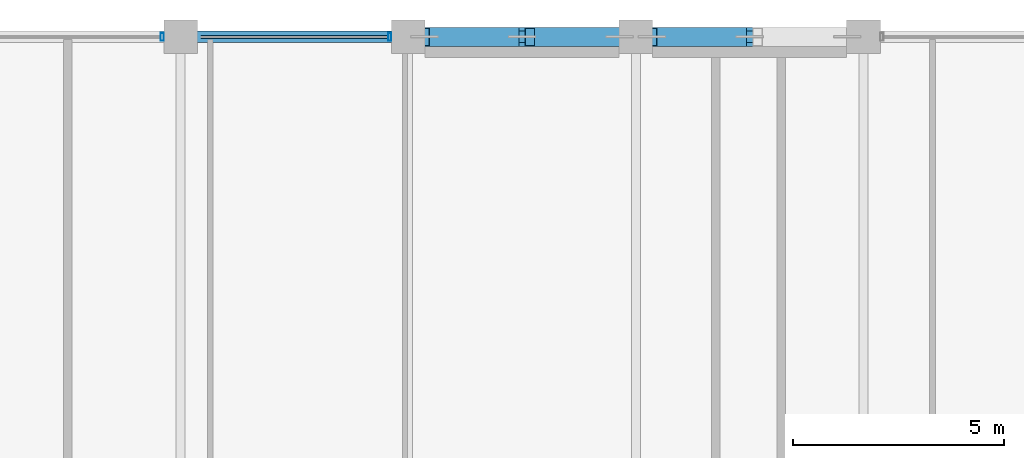
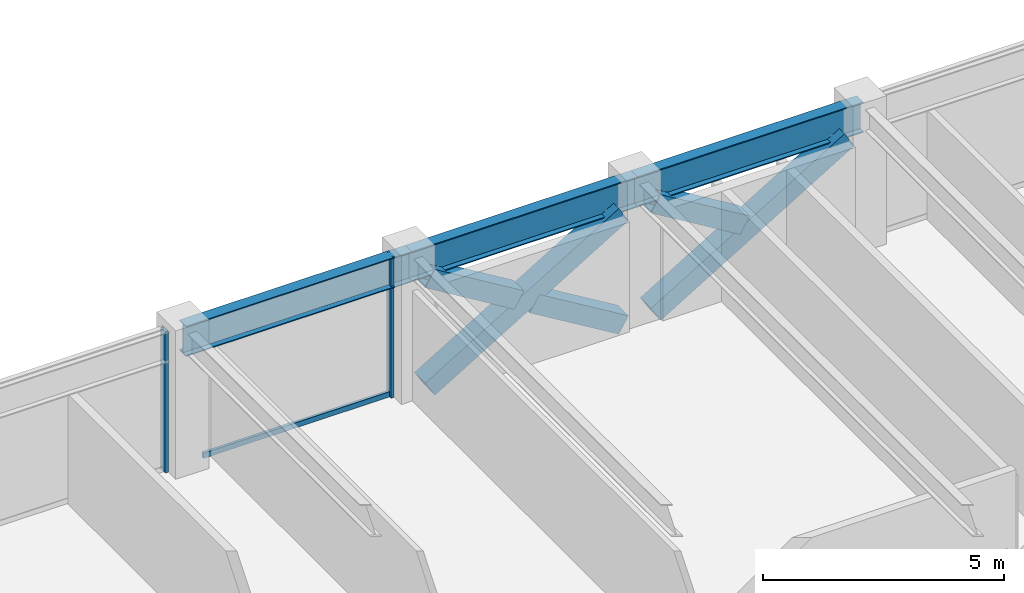
# One storey, part 18 of 30: 8 members, 3 beams, 1 element without a shape of its own.
"""IFC4 building model written with IfcOpenShell, lengths in metres."""

from ifc_helpers import new_model, si_unit, direction, frame, origin, origin_2d, place, context, subcontext, project, spatial, hollow_rectangle, i_section, extrude, material, layer, layer_set, material_profile, profile_set, type_object, element, aggregate, save


model = new_model("IFC4")

# Units and contexts
model_context = context("Model", 3, precision=1e-05, world=origin(), true_north=direction((0.0, 1.0)))
body_context = subcontext(model_context, "Body", "Model", "MODEL_VIEW")
ifc_project = project(units=[si_unit("LENGTHUNIT", "METRE"), si_unit("AREAUNIT", "SQUARE_METRE"), si_unit("VOLUMEUNIT", "CUBIC_METRE"), si_unit("PLANEANGLEUNIT", "RADIAN"), si_unit("MASSUNIT", "GRAM", prefix="KILO")], contexts=[model_context])

# Site, building, storey
site_placement = place(None, origin())
site = spatial("IfcSite", under=ifc_project, at=site_placement, CompositionType="ELEMENT")
building_placement = place(site_placement, origin())
building = spatial("IfcBuilding", under=site, at=building_placement, Name="Surkhivell Harbour Commons", CompositionType="ELEMENT")
storey_placement = place(building_placement, frame((0.0, 0.0, 227.25)))
storey = spatial("IfcBuildingStorey", under=building, at=storey_placement, Name="L59", CompositionType="ELEMENT", Elevation=227.25)

# Beams
ifc_material_1 = material(Name="Steel S355", Category="steel")
ifc_material_profile_1 = material_profile(ifc_material_1, i_section(OverallWidth=0.26806640625, OverallDepth=0.77001953125, WebThickness=0.015625, FlangeThickness=0.025390625, at=origin_2d()), Name="UB762x267x197")
ifc_profile_set_1 = profile_set([ifc_material_profile_1], Name="Steel S355")
beam_type = type_object("IfcBeamType", Name="BM-SPN-762", PredefinedType="SPANDREL", material=ifc_profile_set_1)
beam_placement = place(storey_placement, frame((-10.800048828125, 25.89990234375, 3.18505859375), z_axis=(1.0, 0.0, 0.0), x_axis=(0.0, 1.0, 0.0)))
element("IfcBeam", 1, at=beam_placement, inside=storey, type_object=beam_type, Name="L59 Tube Spandrel (-10.8,25.9)", PredefinedType="SPANDREL", context=body_context, shape_type="SweptSolid", body=[
    extrude(i_section(OverallWidth=0.26806640625, OverallDepth=0.77001953125, WebThickness=0.015625, FlangeThickness=0.025390625, at=origin_2d()), origin(), (0.0, 0.0, 1.0), 5.400146484375),
])
for number, where, z_axis, x_axis, name in (
    (2, (-5.39990234375, 25.89990234375, 3.18505859375), (1.0, 0.0, 0.0), (0.0, 1.0, 0.0), "L59 Tube Spandrel (-5.4,25.9)"),
    (3, (0.0, 25.89990234375, 3.18505859375), (1.0, 0.0, 0.0), (0.0, 1.0, 0.0), "L59 Tube Spandrel (-0.0,25.9)"),
):
    element("IfcBeam", number, at=place(storey_placement, frame(where, z_axis=z_axis, x_axis=x_axis)), inside=storey, type_object=beam_type, Name=name, PredefinedType="SPANDREL", context=body_context, shape_type="SweptSolid", body=[
        extrude(i_section(OverallWidth=0.26806640625, OverallDepth=0.77001953125, WebThickness=0.015625, FlangeThickness=0.025390625, at=origin_2d()), origin(), (0.0, 0.0, 1.0), 5.39990234375),
    ])

# Curtain wall, members
ifc_material_2 = material(Name="Anodised pale-metal aluminium and insulated glazing", Category="aluminium")
ifc_layer = layer(ifc_material_2, 0.18994140625)
ifc_layer_set = layer_set([ifc_layer], Name="Anodised pale-metal aluminium and insulated glazing")
curtain_wall_type = type_object("IfcCurtainWallType", Name="CW-SYS-Z3", PredefinedType="NOTDEFINED", material=ifc_layer_set)
curtain_wall_placement = place(storey_placement, origin())
curtain_wall = element("IfcCurtainWall", 4, at=curtain_wall_placement, inside=storey, type_object=curtain_wall_type, Name="L59 Curtain Wall CW-L59-E07S2", PredefinedType="NOTDEFINED")
ifc_material_3 = material(Name="Anodised pale-metal aluminium alloy 6063-T6", Category="aluminium")
ifc_material_profile_2 = material_profile(ifc_material_3, hollow_rectangle(XDim=0.074951171875, YDim=0.18994140625, WallThickness=0.00390625, at=origin_2d()), Name="ALU-MULL-75x190")
ifc_profile_set_2 = profile_set([ifc_material_profile_2], Name="Anodised pale-metal aluminium alloy 6063-T6")
member_type_1 = type_object("IfcMemberType", Name="CWM-190", PredefinedType="MULLION", material=ifc_profile_set_2)
member_1_placement = place(storey_placement, frame((-5.839599609375, 25.89990234375, 0.0), z_axis=(0.0, 0.0, 1.0), x_axis=(-1.0, 0.0, 0.0)))
member_1 = element("IfcMember", 5, at=member_1_placement, type_object=member_type_1, Name="CW-Z3 mullion 1", PredefinedType="MULLION", context=body_context, shape_type="SweptSolid", body=[
    extrude(hollow_rectangle(XDim=0.074951171875, YDim=0.18994140625, WallThickness=0.00390625, at=origin_2d()), origin(), (0.0, 0.0, 1.0), 3.570068359375),
])
member_2_placement = place(storey_placement, frame((-11.239501953125, 25.89990234375, 0.0), z_axis=(0.0, 0.0, 1.0), x_axis=(-1.0, 0.0, 0.0)))
member_2 = element("IfcMember", 6, at=member_2_placement, type_object=member_type_1, Name="CW-Z3 mullion 2", PredefinedType="MULLION", context=body_context, shape_type="SweptSolid", body=[
    extrude(hollow_rectangle(XDim=0.074951171875, YDim=0.18994140625, WallThickness=0.00390625, at=origin_2d()), origin(), (0.0, 0.0, 1.0), 3.570068359375),
])
ifc_material_4 = material(Name="Champagne anodised aluminium alloy 6063-T6", Category="aluminium")
ifc_material_profile_3 = material_profile(ifc_material_4, hollow_rectangle(XDim=0.070068359375, YDim=0.1298828125, WallThickness=0.00341796875, at=origin_2d()), Name="ALU-TRAN-70x130")
ifc_profile_set_3 = profile_set([ifc_material_profile_3], Name="Champagne anodised aluminium alloy 6063-T6")
member_type_2 = type_object("IfcMemberType", Name="CWT-130", PredefinedType="USERDEFINED", material=ifc_profile_set_3)
member_3_placement = place(storey_placement, frame((-5.876953125, 25.89990234375, 0.06494140625), z_axis=(-1.0, 0.0, 0.0), x_axis=(0.0, -1.0, 0.0)))
member_3 = element("IfcMember", 7, at=member_3_placement, type_object=member_type_2, Name="CW-Z3 transom 1.1", ObjectType="TRANSOM", PredefinedType="USERDEFINED", context=body_context, shape_type="SweptSolid", body=[
    extrude(hollow_rectangle(XDim=0.070068359375, YDim=0.1298828125, WallThickness=0.00341796875, at=origin_2d()), origin(), (0.0, 0.0, 1.0), 4.446044921875),
])
aggregate(curtain_wall, [member_1, member_3, member_2])

# Members
ifc_material_5 = material(Name="Steel S460", Category="steel")
ifc_material_profile_4 = material_profile(ifc_material_5, hollow_rectangle(XDim=0.449951171875, YDim=0.449951171875, WallThickness=0.02197265625, at=origin_2d()), Name="SHS450x450x22")
ifc_profile_set_4 = profile_set([ifc_material_profile_4], Name="Steel S460")
member_type_3 = type_object("IfcMemberType", Name="MEM-BRC-SHS450", PredefinedType="BRACE", material=ifc_profile_set_4)
member_4_placement = place(storey_placement, frame((-5.014892578125, 25.89990234375, 0.008056640625), z_axis=(0.856023742961, 0.0, 0.516936506243), x_axis=(0.0, 1.0, 0.0)))
element("IfcMember", 8, at=member_4_placement, inside=storey, type_object=member_type_3, Name="L59 Perimeter Mega-Brace MB- 01", PredefinedType="BRACE", context=body_context, shape_type="SweptSolid", body=[
    extrude(hollow_rectangle(XDim=0.449951171875, YDim=0.449951171875, WallThickness=0.02197265625, at=origin_2d()), origin(), (0.0, 0.0, 1.0), 5.40869140625),
])
for number, where, z_axis, x_axis, name in (
    (9, (-0.385009765625, 25.89990234375, 0.008056640625), (-0.856061168755, 0.0, 0.516874525731), (0.0, -1.0, 0.0), "L59 Perimeter Mega-Brace MB- 02"),
    (10, (-2.885009765625, 25.89990234375, 1.517578125), (-0.855991532151, 0.0, 0.516989842149), (0.0, -1.0, 0.0), "L59 Perimeter Mega-Brace MB- 03"),
):
    element("IfcMember", number, at=place(storey_placement, frame(where, z_axis=z_axis, x_axis=x_axis)), inside=storey, type_object=member_type_3, Name=name, PredefinedType="BRACE", context=body_context, shape_type="SweptSolid", body=[
        extrude(hollow_rectangle(XDim=0.449951171875, YDim=0.449951171875, WallThickness=0.02197265625, at=origin_2d()), origin(), (0.0, 0.0, 1.0), 2.48828125),
    ])
member_5_placement = place(storey_placement, frame((0.385009765625, 25.89990234375, 0.008056640625), z_axis=(0.856023742961, 0.0, 0.516936506243), x_axis=(0.0, 1.0, 0.0)))
element("IfcMember", 11, at=member_5_placement, inside=storey, type_object=member_type_3, Name="L59 Perimeter Mega-Brace MB- 04", PredefinedType="BRACE", context=body_context, shape_type="SweptSolid", body=[
    extrude(hollow_rectangle(XDim=0.449951171875, YDim=0.449951171875, WallThickness=0.02197265625, at=origin_2d()), origin(), (0.0, 0.0, 1.0), 5.40869140625),
])
member_6_placement = place(storey_placement, frame((2.51513671875, 25.89990234375, 1.517578125), z_axis=(-0.856017753989, 0.0, 0.516946423584), x_axis=(0.0, -1.0, 0.0)))
element("IfcMember", 12, at=member_6_placement, inside=storey, type_object=member_type_3, Name="L59 Perimeter Mega-Brace MB- 06", PredefinedType="BRACE", context=body_context, shape_type="SweptSolid", body=[
    extrude(hollow_rectangle(XDim=0.449951171875, YDim=0.449951171875, WallThickness=0.02197265625, at=origin_2d()), origin(), (0.0, 0.0, 1.0), 2.488525390625),
])

save(model, "model.ifc")
